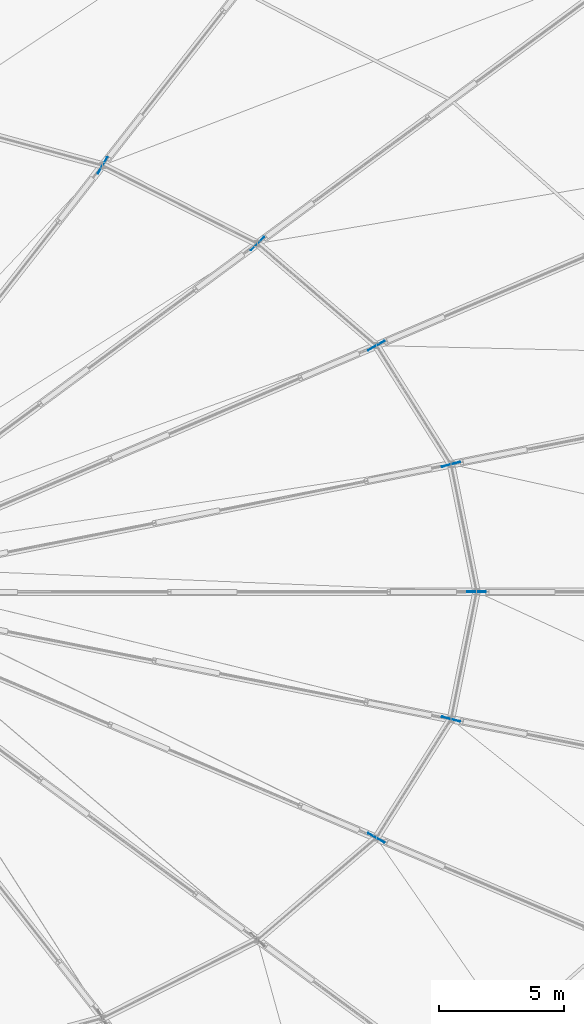
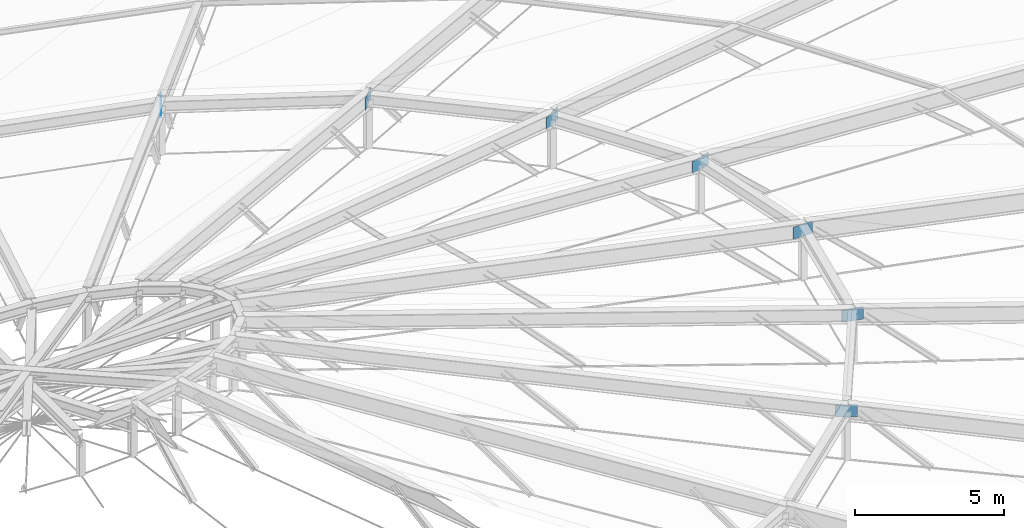
# One storey, part 66 of 83: 7 plates.
"""IFC4 building model written with IfcOpenShell, lengths in metres."""

import ifcopenshell
import ifcopenshell.guid

model = None  # the IFC model being written
_history = None  # IfcOwnerHistory: only IFC2X3 demands one
_inside = {}  # id of a spatial element -> (the spatial element, [elements in it])
_under = {}  # id of a project, library or spatial element -> (it, [spatial elements below it])
_declared = {}  # id of a project -> (the project, [libraries it declares])
_typed = {}  # id of a type object -> (the type object, [elements of that type])
_made_of = {}  # id of a material, layer set ... -> (it, [elements and type objects made of it])


def new_model(schema):
    """Start an empty IFC model of exactly this schema.

    Asked for "IFC4X3", IfcOpenShell would pick the latest addendum, in which some entities
    have other attributes; the version numbers below select the first issue.
    IFC2X3 requires an IfcOwnerHistory on every rooted entity: one is made here for all.
    """
    global model, _history
    if schema == "IFC4X3":
        model = ifcopenshell.file(schema_version=(4, 3, 0, 0))
    else:
        model = ifcopenshell.file(schema=schema)
    _inside.clear()
    _under.clear()
    _declared.clear()
    _typed.clear()
    _made_of.clear()
    _history = None
    if model.schema == "IFC2X3":
        org = make("IfcOrganization", Name="unknown")
        user = make(
            "IfcPersonAndOrganization",
            ThePerson=make("IfcPerson", FamilyName="unknown"),
            TheOrganization=org,
        )
        app = make(
            "IfcApplication",
            ApplicationDeveloper=org,
            Version="unknown",
            ApplicationFullName="unknown",
            ApplicationIdentifier="unknown",
        )
        _history = make(
            "IfcOwnerHistory",
            OwningUser=user,
            OwningApplication=app,
            ChangeAction="ADDED",
            CreationDate=0,
        )
    return model


def make(cls, **values):
    """One entity of the class cls with the attributes given. An attribute that is None is left unset."""
    return model.create_entity(
        cls, **{name: value for name, value in values.items() if value is not None}
    )


def rooted(cls, **values):
    """An entity with a GlobalId (a new one), such as an element, a storey or a relation."""
    return make(cls, GlobalId=ifcopenshell.guid.new(), OwnerHistory=_history, **values)


def si_unit(unit_type, name, prefix=None):
    """IfcSIUnit, for example si_unit("LENGTHUNIT", "METRE", prefix="MILLI")."""
    return make("IfcSIUnit", UnitType=unit_type, Prefix=prefix, Name=name)


def assignment(units):
    """IfcUnitAssignment: the units of a project."""
    return None if units is None else make("IfcUnitAssignment", Units=units)


def point(xyz):
    """IfcCartesianPoint."""
    return None if xyz is None else make("IfcCartesianPoint", Coordinates=xyz)


def direction(xyz):
    """IfcDirection."""
    return None if xyz is None else make("IfcDirection", DirectionRatios=xyz)


def frame(location, z_axis=None, x_axis=None):
    """IfcAxis2Placement3D, a coordinate frame: its origin and axes. An axis left out is left unset."""
    return make(
        "IfcAxis2Placement3D",
        Location=point(location),
        Axis=direction(z_axis),
        RefDirection=direction(x_axis),
    )


def frame_2d(location, x_axis=None):
    """IfcAxis2Placement2D, a coordinate frame in the plane: its origin and x axis."""
    return make(
        "IfcAxis2Placement2D", Location=point(location), RefDirection=direction(x_axis)
    )


def origin():
    """The frame at (0, 0, 0) with its axes left unset."""
    return frame((0.0, 0.0, 0.0))


def origin_2d():
    """The frame at (0, 0) in the plane with its x axis left unset."""
    return frame_2d((0.0, 0.0))


def place(relative_to, where):
    """IfcLocalPlacement: puts the frame where relative to a parent placement (None: the world)."""
    return make(
        "IfcLocalPlacement", PlacementRelTo=relative_to, RelativePlacement=where
    )


def context(
    kind, dimensions, precision=None, world=None, true_north=None, identifier=None
):
    """IfcGeometricRepresentationContext, for example the 3D "Model" context."""
    return make(
        "IfcGeometricRepresentationContext",
        ContextIdentifier=identifier,
        ContextType=kind,
        CoordinateSpaceDimension=dimensions,
        Precision=precision,
        WorldCoordinateSystem=world,
        TrueNorth=true_north,
    )


def subcontext(parent, identifier, kind, view, scale=None):
    """IfcGeometricRepresentationSubContext, for example "Body" below "Model"."""
    return make(
        "IfcGeometricRepresentationSubContext",
        ContextIdentifier=identifier,
        ContextType=kind,
        ParentContext=parent,
        TargetScale=scale,
        TargetView=view,
    )


def project(units=None, contexts=None):
    """IfcProject with its units and contexts."""
    return rooted(
        "IfcProject",
        Name="project",
        RepresentationContexts=contexts,
        UnitsInContext=assignment(units),
    )


def spatial(cls, under=None, at=None, **own):
    """A site, building, storey or space (cls), placed at a placement, below another one or the project."""
    s = rooted(cls, ObjectPlacement=at, **own)
    if under is not None:
        _under.setdefault(under.id(), (under, []))[1].append(s)
    return s


def profile(cls, at=None, kind="AREA", **sizes):
    """A parametric profile (cls). Its sizes go by their IFC names, for example OverallWidth=200.0."""
    return make(cls, ProfileType=kind, Position=at, **sizes)


def rectangle(**sizes):
    """IfcRectangleProfileDef."""
    return profile("IfcRectangleProfileDef", **sizes)


def extrude(swept, where, along, depth):
    """IfcExtrudedAreaSolid: the profile swept, set in the frame where, extruded along a direction by depth."""
    return make(
        "IfcExtrudedAreaSolid",
        SweptArea=swept,
        Position=where,
        ExtrudedDirection=direction(along),
        Depth=depth,
    )


def shape(context_of_items, identifier, shape_type, items):
    """IfcShapeRepresentation: the items that make up one representation, for example the "Body"."""
    return make(
        "IfcShapeRepresentation",
        ContextOfItems=context_of_items,
        RepresentationIdentifier=identifier,
        RepresentationType=shape_type,
        Items=items,
    )


def material(Name=None, Category=None):
    """IfcMaterial."""
    return make("IfcMaterial", Name=Name, Category=Category)


def layer(
    of_material, thickness, ventilated=None, Name=None, Category=None, Priority=None
):
    """IfcMaterialLayer: one layer of a wall or slab, of a material (None: an air gap)."""
    return make(
        "IfcMaterialLayer",
        Material=of_material,
        LayerThickness=thickness,
        IsVentilated=ventilated,
        Name=Name,
        Category=Category,
        Priority=Priority,
    )


def layer_set(layers, Name=None):
    """IfcMaterialLayerSet."""
    return make("IfcMaterialLayerSet", MaterialLayers=layers, LayerSetName=Name)


def made_of(thing, what):
    """Note that an element or type object is made of a material, layer set ...; save() writes the relation."""
    if what is not None:
        _made_of.setdefault(what.id(), (what, []))[1].append(thing)
    return thing


def type_object(cls, material=None, **own):
    """A type object (cls), such as IfcWallType, which elements share."""
    return made_of(rooted(cls, **own), material)


def element(
    cls,
    number,
    at=None,
    inside=None,
    cuts=None,
    type_object=None,
    material=None,
    context=None,
    identifier="Body",
    shape_type=None,
    held_by="IfcProductDefinitionShape",
    body=None,
    shapes=None,
    **own,
):
    """One element of the class cls, such as IfcWall. Its Tag is "e" and its number.

    at: its placement. inside: the storey or other place that contains it. cuts: it is an
    opening in that element (IfcRelVoidsElement). A single representation is given by context,
    identifier, shape_type and body (its items); several are given by shapes. held_by: the class
    of the entity that holds the representations. save() writes the other relations.
    """
    e = rooted(cls, Tag="e%d" % number, ObjectPlacement=at, **own)
    if body is not None:
        shapes = [shape(context, identifier, shape_type, body)]
    if shapes is not None:
        e.Representation = make(held_by, Representations=shapes)
    if inside is not None:
        _inside.setdefault(inside.id(), (inside, []))[1].append(e)
    if cuts is not None:
        rooted(
            "IfcRelVoidsElement", RelatingBuildingElement=cuts, RelatedOpeningElement=e
        )
    if type_object is not None:
        _typed.setdefault(type_object.id(), (type_object, []))[1].append(e)
    return made_of(e, material)


def aggregate(whole, parts):
    """IfcRelAggregates: a whole, such as a stair, and the parts it consists of."""
    return rooted("IfcRelAggregates", RelatingObject=whole, RelatedObjects=parts)


def save(model, path):
    """Write the relations noted so far, then the file.

    IfcRelAggregates (storeys below a building ...), IfcRelContainedInSpatialStructure (elements
    in a storey), IfcRelDefinesByType, IfcRelAssociatesMaterial and IfcRelDeclares: one each for
    every whole, place, type object, material and project.
    """
    for whole, parts in _under.values():
        aggregate(whole, parts)
    for where, things in _inside.values():
        rooted(
            "IfcRelContainedInSpatialStructure",
            RelatedElements=things,
            RelatingStructure=where,
        )
    for kind, things in _typed.values():
        rooted("IfcRelDefinesByType", RelatedObjects=things, RelatingType=kind)
    for what, things in _made_of.values():
        rooted("IfcRelAssociatesMaterial", RelatedObjects=things, RelatingMaterial=what)
    for by, libraries in _declared.values():
        rooted("IfcRelDeclares", RelatingContext=by, RelatedDefinitions=libraries)
    model.write(path)


model = new_model("IFC4")

# Units and contexts
model_context = context("Model", 3, precision=1e-05, world=origin(), true_north=direction((0.0, 1.0)))
body_context = subcontext(model_context, "Body", "Model", "MODEL_VIEW")
ifc_project = project(units=[si_unit("LENGTHUNIT", "METRE"), si_unit("AREAUNIT", "SQUARE_METRE"), si_unit("VOLUMEUNIT", "CUBIC_METRE"), si_unit("PLANEANGLEUNIT", "RADIAN"), si_unit("MASSUNIT", "GRAM", prefix="KILO")], contexts=[model_context])

# Site, building, storey
site_placement = place(None, origin())
site = spatial("IfcSite", under=ifc_project, at=site_placement, CompositionType="ELEMENT")
building_placement = place(site_placement, origin())
building = spatial("IfcBuilding", under=site, at=building_placement, Name="Kivolera Central Railway Station", CompositionType="ELEMENT")
storey_placement = place(building_placement, frame((0.0, 0.0, 14.39990234375)))
storey = spatial("IfcBuildingStorey", under=building, at=storey_placement, Name="L03", CompositionType="ELEMENT", Elevation=14.39990234375)

# Plates
ifc_material = material(Name="Steel S355", Category="steel")
ifc_layer = layer(ifc_material, 0.02392578125, Name="Steel S355")
ifc_layer_set = layer_set([ifc_layer], Name="Steel S355")
plate_type = type_object("IfcPlateType", Name="PLT-GUS-750", PredefinedType="SHEET", material=ifc_layer_set)
for number, where, z_axis, x_axis, name in (
    (1, (94.0, 90.0, 5.530029296875), (0.0, 0.0, 1.0), (1.0, 0.0, 0.0), "Dome Ring Node Gusset Plate R1-01"),
    (2, (92.97802734375, 95.112060546875, 5.530029296875), (0.0, 0.0, 1.0), (0.965925826289, 0.258819045103, 0.0), "Dome Ring Node Gusset Plate R1-02"),
    (3, (89.98095703125, 99.875, 5.530029296875), (0.0, 0.0, 1.0), (0.866025403784, 0.5, 0.0), "Dome Ring Node Gusset Plate R1-03"),
    (4, (85.212890625, 103.965087890625, 5.530029296875), (0.0, 0.0, 1.0), (0.707106781187, 0.707106781187, 0.0), "Dome Ring Node Gusset Plate R1-04"),
    (5, (79.0, 107.10400390625, 5.530029296875), (0.0, 0.0, 1.0), (0.5, 0.866025403784, 0.0), "Dome Ring Node Gusset Plate R1-05"),
    (6, (89.98095703125, 80.125, 5.530029296875), (0.0, 0.0, 1.0), (0.866025403784, -0.5, 0.0), "Dome Ring Node Gusset Plate R1-23"),
    (7, (92.97802734375, 84.887939453125, 5.530029296875), (0.0, 0.0, 1.0), (0.965925826289, -0.258819045103, 0.0), "Dome Ring Node Gusset Plate R1-24"),
):
    element("IfcPlate", number, at=place(storey_placement, frame(where, z_axis=z_axis, x_axis=x_axis)), inside=storey, type_object=plate_type, Name=name, PredefinedType="SHEET", context=body_context, shape_type="SweptSolid", body=[
        extrude(rectangle(XDim=0.75, YDim=0.02392578125, at=origin_2d()), origin(), (0.0, 0.0, 1.0), 0.5),
    ])

save(model, "model.ifc")
